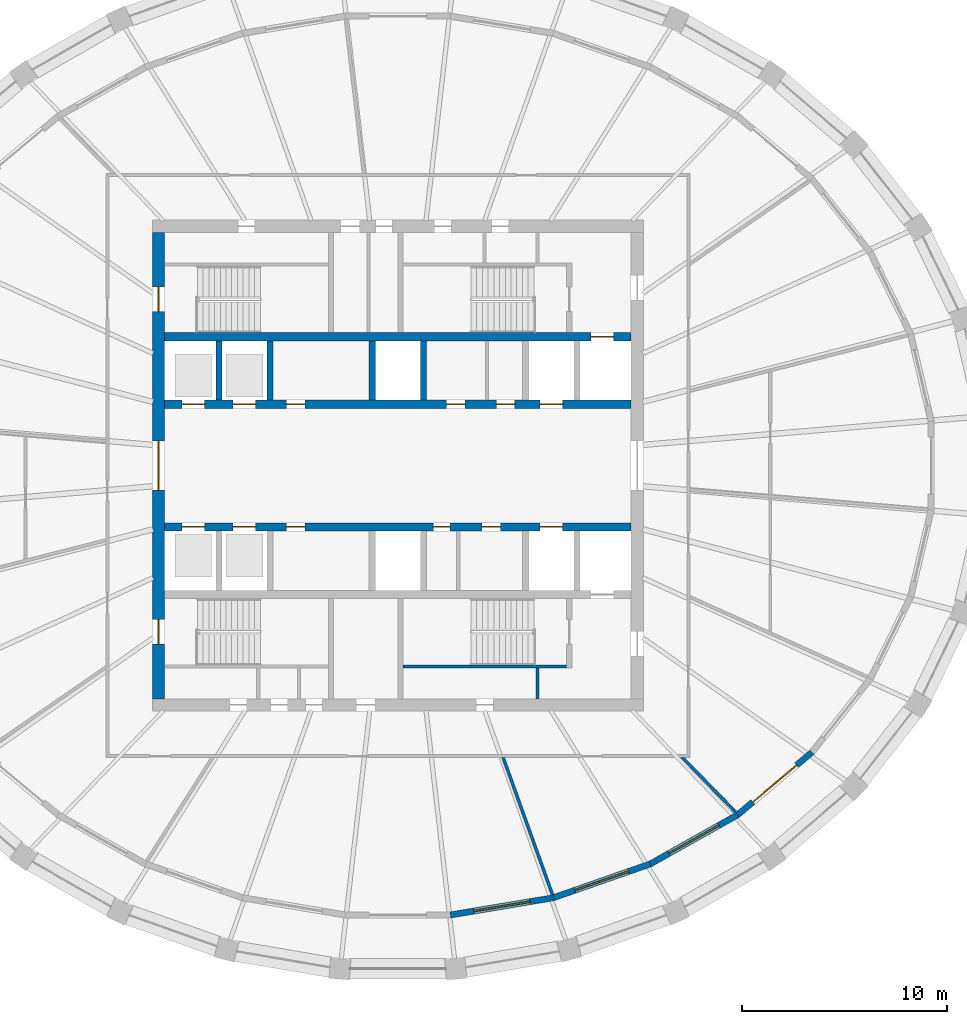
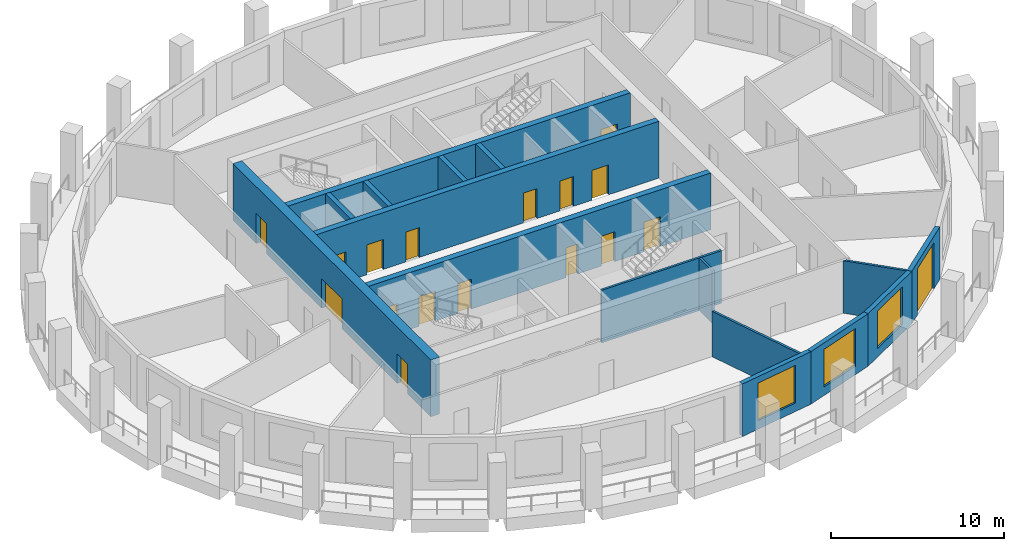
# One storey, part 4 of 10: 17 doors, 16 walls, 3 windows, 20 openings.
"""IFC4 building model written with IfcOpenShell, lengths in metres."""

from ifc_helpers import new_model, si_unit, direction, frame, frame_2d, origin, place, context, subcontext, project, spatial, polyline, rectangle, outline, extrude, material, layer, layer_set, type_object, element, fill, save


model = new_model("IFC4")

# Units and contexts
model_context = context("Model", 3, precision=1e-05, world=origin(), true_north=direction((0.0, 1.0)))
body_context = subcontext(model_context, "Body", "Model", "MODEL_VIEW")
ifc_project = project(units=[si_unit("LENGTHUNIT", "METRE"), si_unit("AREAUNIT", "SQUARE_METRE"), si_unit("VOLUMEUNIT", "CUBIC_METRE"), si_unit("PLANEANGLEUNIT", "RADIAN"), si_unit("MASSUNIT", "GRAM", prefix="KILO")], contexts=[model_context])

# Site, building, storey
site_placement = place(None, origin())
site = spatial("IfcSite", under=ifc_project, at=site_placement, CompositionType="ELEMENT")
building_placement = place(site_placement, origin())
building = spatial("IfcBuilding", under=site, at=building_placement, Name="Halqa Exchange Tower", CompositionType="ELEMENT")
storey_placement = place(building_placement, frame((0.0, 0.0, 304.300048828125)))
storey = spatial("IfcBuildingStorey", under=building, at=storey_placement, Name="L71", CompositionType="ELEMENT", Elevation=304.300048828125)

# Walls
ifc_material_1 = material(Name="Fire-rated gypsum board")
ifc_layer_1 = layer(ifc_material_1, 0.14990234375)
ifc_layer_set_1 = layer_set([ifc_layer_1], Name="Fire-rated gypsum board")
wall_type_1 = type_object("IfcWallType", Name="Fire partition EI 60 150", PredefinedType="PARTITIONING", material=ifc_layer_set_1)
wall_1_placement = place(storey_placement, frame((5.137939453125, -14.25, 0.0), z_axis=(0.0, 0.0, 1.0), x_axis=(0.338519975389, -0.940959205419, 0.0)))
element("IfcWall", 1, at=wall_1_placement, inside=storey, type_object=wall_type_1, Name="L71-PWL-011", PredefinedType="PARTITIONING", context=body_context, shape_type="SweptSolid", body=[
    extrude(outline(polyline([(0.0, -0.074951171875), (1.7841796875, -0.074951171875), (3.568359375, -0.074951171875), (5.3525390625, -0.074951171875), (7.13671875, -0.074951171875), (7.150390625, 0.001220703125), (7.150634765625, 0.01904296875), (7.150634765625, 0.074951171875), (5.37646484375, 0.074951171875), (3.60205078125, 0.074951171875), (1.827880859375, 0.074951171875), (0.053466796875, 0.074951171875), (0.0, -0.07373046875), (0.0, -0.074951171875)])), origin(), (0.0, 0.0, 1.0), 3.199951171875),
])
wall_2_placement = place(storey_placement, frame((13.8623046875, -14.222900390625, 0.0), z_axis=(0.0, 0.0, 1.0), x_axis=(0.698607487782, -0.715505120887, 0.0)))
element("IfcWall", 2, at=wall_2_placement, inside=storey, type_object=wall_type_1, Name="L71-PWL-012", PredefinedType="PARTITIONING", context=body_context, shape_type="SweptSolid", body=[
    extrude(outline(polyline([(3.785400390625, 0.074951171875), (1.9658203125, 0.074951171875), (0.14599609375, 0.074951171875), (0.0, -0.074462890625), (0.0, -0.074951171875), (1.892578125, -0.074951171875), (3.785400390625, -0.074951171875), (3.785400390625, 0.074951171875)])), origin(), (0.0, 0.0, 1.0), 3.699951171875),
])
ifc_material_2 = material(Name="Gypsum board")
ifc_layer_2 = layer(ifc_material_2, 0.14990234375)
ifc_layer_set_2 = layer_set([ifc_layer_2], Name="Gypsum board")
wall_type_2 = type_object("IfcWallType", Name="Penthouse riser wall 150 gypsum", PredefinedType="PARTITIONING", material=ifc_layer_set_2)
wall_3_placement = place(storey_placement, frame((6.824951171875, -11.39990234375, 0.0), z_axis=(0.0, 0.0, 1.0), x_axis=(0.0, 1.0, 0.0)))
element("IfcWall", 3, at=wall_3_placement, inside=storey, type_object=wall_type_2, Name="Firefighting lobby west wall S", PredefinedType="PARTITIONING", context=body_context, shape_type="SweptSolid", body=[
    extrude(rectangle(XDim=1.5, YDim=0.14990234375, at=frame_2d((0.75, 0.0))), origin(), (0.0, 0.0, 1.0), 3.699951171875),
])
ifc_material_3 = material(Name="Concrete C60/75", Category="concrete")
ifc_layer_3 = layer(ifc_material_3, 0.300048828125)
ifc_layer_set_3 = layer_set([ifc_layer_3], Name="Concrete C60/75")
wall_type_3 = type_object("IfcWallType", Name="RC core wall 300", PredefinedType="SHEAR", material=ifc_layer_set_3)
for number, where, z_axis, x_axis, name in (
    (4, (-8.75, 3.199951171875, 0.0), (0.0, 0.0, 1.0), (0.0, 1.0, 0.0), "Shaft divider N1"),
    (5, (-6.25, 3.199951171875, 0.0), (0.0, 0.0, 1.0), (0.0, 1.0, 0.0), "Shaft divider N2"),
    (6, (-1.25, 3.199951171875, 0.0), (0.0, 0.0, 1.0), (0.0, 1.0, 0.0), "Shaft divider N4"),
    (7, (1.25, 3.199951171875, 0.0), (0.0, 0.0, 1.0), (0.0, 1.0, 0.0), "Shaft divider N5"),
):
    element("IfcWall", number, at=place(storey_placement, frame(where, z_axis=z_axis, x_axis=x_axis)), inside=storey, type_object=wall_type_3, Name=name, PredefinedType="SHEAR", context=body_context, shape_type="SweptSolid", body=[
        extrude(rectangle(XDim=2.900146484375, YDim=0.300048828125, at=frame_2d((1.4501953125, 0.0))), origin(), (0.0, 0.0, 1.0), 4.0),
    ])

# Wall, openings, doors
ifc_layer_4 = layer(ifc_material_3, 0.39990234375)
ifc_layer_set_4 = layer_set([ifc_layer_4], Name="Concrete C60/75")
wall_type_4 = type_object("IfcWallType", Name="RC core wall 400 C60/75", PredefinedType="SHEAR", material=ifc_layer_set_4)
wall_4_placement = place(storey_placement, frame((-11.39990234375, 3.0, 0.0), z_axis=(0.0, 0.0, 1.0), x_axis=(1.0, 0.0, 0.0)))
wall_4 = element("IfcWall", 8, at=wall_4_placement, inside=storey, type_object=wall_type_4, Name="Lift row front wall N", PredefinedType="SHEAR", context=body_context, shape_type="SweptSolid", body=[
    extrude(rectangle(XDim=22.7998046875, YDim=0.39990234375, at=frame_2d((11.39990234375, 0.0))), origin(), (0.0, 0.0, 1.0), 4.0),
])
opening_1_placement = place(wall_4_placement, frame((0.85009765625, 0.0, 0.0)))
opening_1 = element("IfcOpeningElement", 9, at=opening_1_placement, cuts=wall_4, Name="Opening LD-HR1-T22", PredefinedType="OPENING", context=body_context, shape_type="SweptSolid", body=[
    extrude(rectangle(XDim=1.10009765625, YDim=2.10009765625, at=frame_2d((0.550048828125, 1.050048828125))), frame((0.0, 0.2119140625, 0.0), z_axis=(0.0, -1.0, 0.0), x_axis=(1.0, 0.0, 0.0)), (0.0, 0.0, 1.0), 0.423828125),
])
opening_2_placement = place(wall_4_placement, frame((3.35009765625, 0.0, 0.0)))
opening_2 = element("IfcOpeningElement", 10, at=opening_2_placement, cuts=wall_4, Name="Opening LD-HR2-T22", PredefinedType="OPENING", context=body_context, shape_type="SweptSolid", body=[
    extrude(rectangle(XDim=1.10009765625, YDim=2.10009765625, at=frame_2d((0.550048828125, 1.050048828125))), frame((0.0, 0.2119140625, 0.0), z_axis=(0.0, -1.0, 0.0), x_axis=(1.0, 0.0, 0.0)), (0.0, 0.0, 1.0), 0.423828125),
])
opening_3_placement = place(wall_4_placement, frame((18.35009765625, 0.0, 0.0)))
opening_3 = element("IfcOpeningElement", 11, at=opening_3_placement, cuts=wall_4, Name="Opening LD-SV1-T22", PredefinedType="OPENING", context=body_context, shape_type="SweptSolid", body=[
    extrude(rectangle(XDim=1.10009765625, YDim=2.10009765625, at=frame_2d((0.550048828125, 1.050048828125))), frame((0.0, 0.2119140625, 0.0), z_axis=(0.0, -1.0, 0.0), x_axis=(1.0, 0.0, 0.0)), (0.0, 0.0, 1.0), 0.423828125),
])
opening_4_placement = place(wall_4_placement, frame((13.78759765625, 0.0, 0.0)))
opening_4 = element("IfcOpeningElement", 12, at=opening_4_placement, cuts=wall_4, Name="Opening T22-C27", PredefinedType="OPENING", context=body_context, shape_type="SweptSolid", body=[
    extrude(rectangle(XDim=0.89990234375, YDim=2.10009765625, at=frame_2d((0.449951171875, 1.050048828125))), frame((0.0, 0.2119140625, 0.0), z_axis=(0.0, -1.0, 0.0), x_axis=(1.0, 0.0, 0.0)), (0.0, 0.0, 1.0), 0.423828125),
])
opening_5_placement = place(wall_4_placement, frame((16.21240234375, 0.0, 0.0)))
opening_5 = element("IfcOpeningElement", 13, at=opening_5_placement, cuts=wall_4, Name="Opening T22-C28", PredefinedType="OPENING", context=body_context, shape_type="SweptSolid", body=[
    extrude(rectangle(XDim=0.89990234375, YDim=2.10009765625, at=frame_2d((0.449951171875, 1.050048828125))), frame((0.0, 0.2119140625, 0.0), z_axis=(0.0, -1.0, 0.0), x_axis=(1.0, 0.0, 0.0)), (0.0, 0.0, 1.0), 0.423828125),
])
opening_6_placement = place(wall_4_placement, frame((5.949951171875, 0.0, 0.0)))
opening_6 = element("IfcOpeningElement", 14, at=opening_6_placement, cuts=wall_4, Name="Opening T22-C29", PredefinedType="OPENING", context=body_context, shape_type="SweptSolid", body=[
    extrude(rectangle(XDim=0.89990234375, YDim=2.10009765625, at=frame_2d((0.449951171875, 1.050048828125))), frame((0.0, 0.2119140625, 0.0), z_axis=(0.0, -1.0, 0.0), x_axis=(1.0, 0.0, 0.0)), (0.0, 0.0, 1.0), 0.423828125),
])
ifc_material_4 = material(Name="Timber fire door leaf", Category="wood")
door_type_1 = type_object("IfcDoorType", Name="Core room door FD30 900 x 2100", OperationType="SINGLE_SWING_LEFT", PredefinedType="DOOR", material=ifc_material_4)
door_1_placement = place(opening_4_placement, origin())
door_1 = element("IfcDoor", 15, at=door_1_placement, inside=storey, type_object=door_type_1, Name="Core room door", OperationType="SINGLE_SWING_RIGHT", OverallHeight=2.10009765625, OverallWidth=0.89990234375, PredefinedType="DOOR", context=body_context, shape_type="SweptSolid", body=[
    extrude(rectangle(XDim=0.89990234375, YDim=2.10009765625, at=frame_2d((0.449951171875, 1.050048828125))), frame((0.0, 0.02490234375, 0.0), z_axis=(0.0, -1.0, 0.0), x_axis=(1.0, 0.0, 0.0)), (0.0, 0.0, 1.0), 0.050048828125),
])
fill(opening_4, door_1)
door_2_placement = place(opening_5_placement, origin())
door_2 = element("IfcDoor", 16, at=door_2_placement, inside=storey, type_object=door_type_1, Name="Core room door", OperationType="SINGLE_SWING_LEFT", OverallHeight=2.10009765625, OverallWidth=0.89990234375, PredefinedType="DOOR", context=body_context, shape_type="SweptSolid", body=[
    extrude(rectangle(XDim=0.89990234375, YDim=2.10009765625, at=frame_2d((0.449951171875, 1.050048828125))), frame((0.0, 0.02490234375, 0.0), z_axis=(0.0, -1.0, 0.0), x_axis=(1.0, 0.0, 0.0)), (0.0, 0.0, 1.0), 0.050048828125),
])
fill(opening_5, door_2)
door_3_placement = place(opening_6_placement, origin())
door_3 = element("IfcDoor", 17, at=door_3_placement, inside=storey, type_object=door_type_1, Name="Core room door", OperationType="SINGLE_SWING_RIGHT", OverallHeight=2.10009765625, OverallWidth=0.89990234375, PredefinedType="DOOR", context=body_context, shape_type="SweptSolid", body=[
    extrude(rectangle(XDim=0.89990234375, YDim=2.10009765625, at=frame_2d((0.449951171875, 1.050048828125))), frame((0.0, 0.02490234375, 0.0), z_axis=(0.0, -1.0, 0.0), x_axis=(1.0, 0.0, 0.0)), (0.0, 0.0, 1.0), 0.050048828125),
])
fill(opening_6, door_3)
ifc_material_5 = material(Name="Stainless steel", Category="steel")
door_type_2 = type_object("IfcDoorType", Name="Lift landing door 1100 x 2100", OperationType="SLIDING_TO_LEFT", PredefinedType="DOOR", material=ifc_material_5)
door_4_placement = place(opening_1_placement, origin())
door_4 = element("IfcDoor", 18, at=door_4_placement, inside=storey, type_object=door_type_2, Name="Lift landing door HR1", OperationType="SLIDING_TO_LEFT", OverallHeight=2.10009765625, OverallWidth=1.10009765625, PredefinedType="DOOR", context=body_context, shape_type="SweptSolid", body=[
    extrude(rectangle(XDim=1.10009765625, YDim=2.10009765625, at=frame_2d((0.550048828125, 1.050048828125))), frame((0.0, 0.02490234375, 0.0), z_axis=(0.0, -1.0, 0.0), x_axis=(1.0, 0.0, 0.0)), (0.0, 0.0, 1.0), 0.050048828125),
])
fill(opening_1, door_4)
door_5_placement = place(opening_2_placement, origin())
door_5 = element("IfcDoor", 19, at=door_5_placement, inside=storey, type_object=door_type_2, Name="Lift landing door HR2", OperationType="SLIDING_TO_LEFT", OverallHeight=2.10009765625, OverallWidth=1.10009765625, PredefinedType="DOOR", context=body_context, shape_type="SweptSolid", body=[
    extrude(rectangle(XDim=1.10009765625, YDim=2.10009765625, at=frame_2d((0.550048828125, 1.050048828125))), frame((0.0, 0.02490234375, 0.0), z_axis=(0.0, -1.0, 0.0), x_axis=(1.0, 0.0, 0.0)), (0.0, 0.0, 1.0), 0.050048828125),
])
fill(opening_2, door_5)
door_6_placement = place(opening_3_placement, origin())
door_6 = element("IfcDoor", 20, at=door_6_placement, inside=storey, type_object=door_type_2, Name="Lift landing door SV1", OperationType="SLIDING_TO_LEFT", OverallHeight=2.10009765625, OverallWidth=1.10009765625, PredefinedType="DOOR", context=body_context, shape_type="SweptSolid", body=[
    extrude(rectangle(XDim=1.10009765625, YDim=2.10009765625, at=frame_2d((0.550048828125, 1.050048828125))), frame((0.0, 0.02490234375, 0.0), z_axis=(0.0, -1.0, 0.0), x_axis=(1.0, 0.0, 0.0)), (0.0, 0.0, 1.0), 0.050048828125),
])
fill(opening_3, door_6)

# Wall, opening, door
wall_5_placement = place(storey_placement, frame((-11.39990234375, 6.300048828125, 0.0), z_axis=(0.0, 0.0, 1.0), x_axis=(1.0, 0.0, 0.0)))
wall_5 = element("IfcWall", 21, at=wall_5_placement, inside=storey, type_object=wall_type_4, Name="Lift row back wall N", PredefinedType="SHEAR", context=body_context, shape_type="SweptSolid", body=[
    extrude(rectangle(XDim=22.7998046875, YDim=0.39990234375, at=frame_2d((11.39990234375, 0.0))), origin(), (0.0, 0.0, 1.0), 4.0),
])
opening_7_placement = place(wall_5_placement, frame((20.85009765625, 0.0, 0.0)))
opening_7 = element("IfcOpeningElement", 22, at=opening_7_placement, cuts=wall_5, Name="Opening LD-FF1-T22", PredefinedType="OPENING", context=body_context, shape_type="SweptSolid", body=[
    extrude(rectangle(XDim=1.10009765625, YDim=2.10009765625, at=frame_2d((0.550048828125, 1.050048828125))), frame((0.0, 0.2119140625, 0.0), z_axis=(0.0, -1.0, 0.0), x_axis=(1.0, 0.0, 0.0)), (0.0, 0.0, 1.0), 0.423828125),
])
door_7_placement = place(opening_7_placement, origin())
door_7 = element("IfcDoor", 23, at=door_7_placement, inside=storey, type_object=door_type_2, Name="Lift landing door FF1", OperationType="SLIDING_TO_LEFT", OverallHeight=2.10009765625, OverallWidth=1.10009765625, PredefinedType="DOOR", context=body_context, shape_type="SweptSolid", body=[
    extrude(rectangle(XDim=1.10009765625, YDim=2.10009765625, at=frame_2d((0.550048828125, 1.050048828125))), frame((0.0, 0.02490234375, 0.0), z_axis=(0.0, -1.0, 0.0), x_axis=(1.0, 0.0, 0.0)), (0.0, 0.0, 1.0), 0.050048828125),
])
fill(opening_7, door_7)

# Wall, openings, doors
wall_6_placement = place(storey_placement, frame((-11.39990234375, -3.0, 0.0), z_axis=(0.0, 0.0, 1.0), x_axis=(1.0, 0.0, 0.0)))
wall_6 = element("IfcWall", 24, at=wall_6_placement, inside=storey, type_object=wall_type_4, Name="Lift row front wall S", PredefinedType="SHEAR", context=body_context, shape_type="SweptSolid", body=[
    extrude(rectangle(XDim=22.7998046875, YDim=0.39990234375, at=frame_2d((11.39990234375, 0.0))), origin(), (0.0, 0.0, 1.0), 4.0),
])
opening_8_placement = place(wall_6_placement, frame((0.85009765625, 0.0, 0.0)))
opening_8 = element("IfcOpeningElement", 25, at=opening_8_placement, cuts=wall_6, Name="Opening LD-HR3-T22", PredefinedType="OPENING", context=body_context, shape_type="SweptSolid", body=[
    extrude(rectangle(XDim=1.10009765625, YDim=2.10009765625, at=frame_2d((0.550048828125, 1.050048828125))), frame((0.0, 0.2119140625, 0.0), z_axis=(0.0, -1.0, 0.0), x_axis=(1.0, 0.0, 0.0)), (0.0, 0.0, 1.0), 0.423828125),
])
opening_9_placement = place(wall_6_placement, frame((3.35009765625, 0.0, 0.0)))
opening_9 = element("IfcOpeningElement", 26, at=opening_9_placement, cuts=wall_6, Name="Opening LD-HR4-T22", PredefinedType="OPENING", context=body_context, shape_type="SweptSolid", body=[
    extrude(rectangle(XDim=1.10009765625, YDim=2.10009765625, at=frame_2d((0.550048828125, 1.050048828125))), frame((0.0, 0.2119140625, 0.0), z_axis=(0.0, -1.0, 0.0), x_axis=(1.0, 0.0, 0.0)), (0.0, 0.0, 1.0), 0.423828125),
])
opening_10_placement = place(wall_6_placement, frame((18.35009765625, 0.0, 0.0)))
opening_10 = element("IfcOpeningElement", 27, at=opening_10_placement, cuts=wall_6, Name="Opening LD-SV2-T22", PredefinedType="OPENING", context=body_context, shape_type="SweptSolid", body=[
    extrude(rectangle(XDim=1.10009765625, YDim=2.10009765625, at=frame_2d((0.550048828125, 1.050048828125))), frame((0.0, 0.2119140625, 0.0), z_axis=(0.0, -1.0, 0.0), x_axis=(1.0, 0.0, 0.0)), (0.0, 0.0, 1.0), 0.423828125),
])
opening_11_placement = place(wall_6_placement, frame((13.137451171875, 0.0, 0.0)))
opening_11 = element("IfcOpeningElement", 28, at=opening_11_placement, cuts=wall_6, Name="Opening T22-C30", PredefinedType="OPENING", context=body_context, shape_type="SweptSolid", body=[
    extrude(rectangle(XDim=0.800048828125, YDim=2.10009765625, at=frame_2d((0.39990234375, 1.050048828125))), frame((0.0, 0.2119140625, 0.0), z_axis=(0.0, -1.0, 0.0), x_axis=(1.0, 0.0, 0.0)), (0.0, 0.0, 1.0), 0.423828125),
])
opening_12_placement = place(wall_6_placement, frame((15.512451171875, 0.0, 0.0)))
opening_12 = element("IfcOpeningElement", 29, at=opening_12_placement, cuts=wall_6, Name="Opening T22-C31", PredefinedType="OPENING", context=body_context, shape_type="SweptSolid", body=[
    extrude(rectangle(XDim=0.89990234375, YDim=2.10009765625, at=frame_2d((0.449951171875, 1.050048828125))), frame((0.0, 0.2119140625, 0.0), z_axis=(0.0, -1.0, 0.0), x_axis=(1.0, 0.0, 0.0)), (0.0, 0.0, 1.0), 0.423828125),
])
opening_13_placement = place(wall_6_placement, frame((5.949951171875, 0.0, 0.0)))
opening_13 = element("IfcOpeningElement", 30, at=opening_13_placement, cuts=wall_6, Name="Opening T22-C32", PredefinedType="OPENING", context=body_context, shape_type="SweptSolid", body=[
    extrude(rectangle(XDim=0.89990234375, YDim=2.10009765625, at=frame_2d((0.449951171875, 1.050048828125))), frame((0.0, 0.2119140625, 0.0), z_axis=(0.0, -1.0, 0.0), x_axis=(1.0, 0.0, 0.0)), (0.0, 0.0, 1.0), 0.423828125),
])
door_8_placement = place(opening_12_placement, frame((0.89990234375, 0.0, 0.0), z_axis=(0.0, 0.0, 1.0), x_axis=(-1.0, 0.0, 0.0)))
door_8 = element("IfcDoor", 31, at=door_8_placement, inside=storey, type_object=door_type_1, Name="Core room door", OperationType="SINGLE_SWING_LEFT", OverallHeight=2.10009765625, OverallWidth=0.89990234375, PredefinedType="DOOR", context=body_context, shape_type="SweptSolid", body=[
    extrude(rectangle(XDim=0.89990234375, YDim=2.10009765625, at=frame_2d((0.449951171875, 1.050048828125))), frame((0.0, 0.02490234375, 0.0), z_axis=(0.0, -1.0, 0.0), x_axis=(1.0, 0.0, 0.0)), (0.0, 0.0, 1.0), 0.050048828125),
])
fill(opening_12, door_8)
door_9_placement = place(opening_13_placement, frame((0.89990234375, 0.0, 0.0), z_axis=(0.0, 0.0, 1.0), x_axis=(-1.0, 0.0, 0.0)))
door_9 = element("IfcDoor", 32, at=door_9_placement, inside=storey, type_object=door_type_1, Name="Core room door", OperationType="SINGLE_SWING_LEFT", OverallHeight=2.10009765625, OverallWidth=0.89990234375, PredefinedType="DOOR", context=body_context, shape_type="SweptSolid", body=[
    extrude(rectangle(XDim=0.89990234375, YDim=2.10009765625, at=frame_2d((0.449951171875, 1.050048828125))), frame((0.0, 0.02490234375, 0.0), z_axis=(0.0, -1.0, 0.0), x_axis=(1.0, 0.0, 0.0)), (0.0, 0.0, 1.0), 0.050048828125),
])
fill(opening_13, door_9)
door_10_placement = place(opening_8_placement, origin())
door_10 = element("IfcDoor", 33, at=door_10_placement, inside=storey, type_object=door_type_2, Name="Lift landing door HR3", OperationType="SLIDING_TO_LEFT", OverallHeight=2.10009765625, OverallWidth=1.10009765625, PredefinedType="DOOR", context=body_context, shape_type="SweptSolid", body=[
    extrude(rectangle(XDim=1.10009765625, YDim=2.10009765625, at=frame_2d((0.550048828125, 1.050048828125))), frame((0.0, 0.02490234375, 0.0), z_axis=(0.0, -1.0, 0.0), x_axis=(1.0, 0.0, 0.0)), (0.0, 0.0, 1.0), 0.050048828125),
])
fill(opening_8, door_10)
door_11_placement = place(opening_9_placement, origin())
door_11 = element("IfcDoor", 34, at=door_11_placement, inside=storey, type_object=door_type_2, Name="Lift landing door HR4", OperationType="SLIDING_TO_LEFT", OverallHeight=2.10009765625, OverallWidth=1.10009765625, PredefinedType="DOOR", context=body_context, shape_type="SweptSolid", body=[
    extrude(rectangle(XDim=1.10009765625, YDim=2.10009765625, at=frame_2d((0.550048828125, 1.050048828125))), frame((0.0, 0.02490234375, 0.0), z_axis=(0.0, -1.0, 0.0), x_axis=(1.0, 0.0, 0.0)), (0.0, 0.0, 1.0), 0.050048828125),
])
fill(opening_9, door_11)
door_12_placement = place(opening_10_placement, origin())
door_12 = element("IfcDoor", 35, at=door_12_placement, inside=storey, type_object=door_type_2, Name="Lift landing door SV2", OperationType="SLIDING_TO_LEFT", OverallHeight=2.10009765625, OverallWidth=1.10009765625, PredefinedType="DOOR", context=body_context, shape_type="SweptSolid", body=[
    extrude(rectangle(XDim=1.10009765625, YDim=2.10009765625, at=frame_2d((0.550048828125, 1.050048828125))), frame((0.0, 0.02490234375, 0.0), z_axis=(0.0, -1.0, 0.0), x_axis=(1.0, 0.0, 0.0)), (0.0, 0.0, 1.0), 0.050048828125),
])
fill(opening_10, door_12)
ifc_material_6 = material(Name="Steel fire door leaf", Category="steel")
door_type_3 = type_object("IfcDoorType", Name="Riser door FD60 800 x 2100", OperationType="SINGLE_SWING_LEFT", PredefinedType="DOOR", material=ifc_material_6)
door_13_placement = place(opening_11_placement, frame((0.800048828125, 0.0, 0.0), z_axis=(0.0, 0.0, 1.0), x_axis=(-1.0, 0.0, 0.0)))
door_13 = element("IfcDoor", 36, at=door_13_placement, inside=storey, type_object=door_type_3, Name="Core room door", OperationType="SINGLE_SWING_LEFT", OverallHeight=2.10009765625, OverallWidth=0.800048828125, PredefinedType="DOOR", context=body_context, shape_type="SweptSolid", body=[
    extrude(rectangle(XDim=0.800048828125, YDim=2.10009765625, at=frame_2d((0.39990234375, 1.050048828125))), frame((0.0, 0.02490234375, 0.0), z_axis=(0.0, -1.0, 0.0), x_axis=(1.0, 0.0, 0.0)), (0.0, 0.0, 1.0), 0.050048828125),
])
fill(opening_11, door_13)

ifc_layer_5 = layer(ifc_material_3, 0.60009765625)
ifc_layer_set_5 = layer_set([ifc_layer_5], Name="Concrete C60/75")
wall_type_5 = type_object("IfcWallType", Name="RC core wall 600 C60/75", PredefinedType="SHEAR", material=ifc_layer_set_5)
wall_7_placement = place(storey_placement, frame((-11.699951171875, -11.39990234375, 0.0), z_axis=(0.0, 0.0, 1.0), x_axis=(0.0, 1.0, 0.0)))
wall_7 = element("IfcWall", 37, at=wall_7_placement, inside=storey, type_object=wall_type_5, Name="Core wall west", PredefinedType="SHEAR", context=body_context, shape_type="SweptSolid", body=[
    extrude(rectangle(XDim=22.7998046875, YDim=0.60009765625, at=frame_2d((11.39990234375, 0.0))), origin(), (0.0, 0.0, 1.0), 4.0),
])
opening_14_placement = place(wall_7_placement, frame((10.199951171875, 0.0, 0.0)))
opening_14 = element("IfcOpeningElement", 38, at=opening_14_placement, cuts=wall_7, Name="Opening T22-C09", PredefinedType="OPENING", context=body_context, shape_type="SweptSolid", body=[
    extrude(rectangle(XDim=2.39990234375, YDim=2.10009765625, at=frame_2d((1.199951171875, 1.050048828125))), frame((0.0, 0.31201171875, 0.0), z_axis=(0.0, -1.0, 0.0), x_axis=(1.0, 0.0, 0.0)), (0.0, 0.0, 1.0), 0.6240234375),
])
opening_15_placement = place(wall_7_placement, frame((18.925048828125, 0.0, 0.0)))
opening_15 = element("IfcOpeningElement", 39, at=opening_15_placement, cuts=wall_7, Name="Opening T22-C11", PredefinedType="OPENING", context=body_context, shape_type="SweptSolid", body=[
    extrude(rectangle(XDim=1.199951171875, YDim=2.10009765625, at=frame_2d((0.60009765625, 1.050048828125))), frame((0.0, 0.31201171875, 0.0), z_axis=(0.0, -1.0, 0.0), x_axis=(1.0, 0.0, 0.0)), (0.0, 0.0, 1.0), 0.6240234375),
])
opening_16_placement = place(wall_7_placement, frame((2.675048828125, 0.0, 0.0)))
opening_16 = element("IfcOpeningElement", 40, at=opening_16_placement, cuts=wall_7, Name="Opening T22-C13", PredefinedType="OPENING", context=body_context, shape_type="SweptSolid", body=[
    extrude(rectangle(XDim=1.199951171875, YDim=2.10009765625, at=frame_2d((0.60009765625, 1.050048828125))), frame((0.0, 0.31201171875, 0.0), z_axis=(0.0, -1.0, 0.0), x_axis=(1.0, 0.0, 0.0)), (0.0, 0.0, 1.0), 0.6240234375),
])
door_type_4 = type_object("IfcDoorType", Name="Lobby double door FD60 2400 x 2100", OperationType="DOUBLE_DOOR_SINGLE_SWING", PredefinedType="DOOR", material=ifc_material_6)
door_14_placement = place(opening_14_placement, frame((2.39990234375, 0.0, 0.0), z_axis=(0.0, 0.0, 1.0), x_axis=(-1.0, 0.0, 0.0)))
door_14 = element("IfcDoor", 41, at=door_14_placement, inside=storey, type_object=door_type_4, Name="Lift lobby double door", OperationType="DOUBLE_DOOR_SINGLE_SWING", OverallHeight=2.10009765625, OverallWidth=2.39990234375, PredefinedType="DOOR", context=body_context, shape_type="SweptSolid", body=[
    extrude(rectangle(XDim=2.39990234375, YDim=2.10009765625, at=frame_2d((1.199951171875, 1.050048828125))), frame((0.0, 0.02490234375, 0.0), z_axis=(0.0, -1.0, 0.0), x_axis=(1.0, 0.0, 0.0)), (0.0, 0.0, 1.0), 0.050048828125),
])
fill(opening_14, door_14)
door_type_5 = type_object("IfcDoorType", Name="Stair door FD90 1200 x 2100", OperationType="SINGLE_SWING_LEFT", PredefinedType="DOOR", material=ifc_material_6)
door_15_placement = place(opening_15_placement, frame((1.199951171875, 0.0, 0.0), z_axis=(0.0, 0.0, 1.0), x_axis=(-1.0, 0.0, 0.0)))
door_15 = element("IfcDoor", 42, at=door_15_placement, inside=storey, type_object=door_type_5, Name="Stair door ST1", OperationType="SINGLE_SWING_LEFT", OverallHeight=2.10009765625, OverallWidth=1.199951171875, PredefinedType="DOOR", context=body_context, shape_type="SweptSolid", body=[
    extrude(rectangle(XDim=1.199951171875, YDim=2.10009765625, at=frame_2d((0.60009765625, 1.050048828125))), frame((0.0, 0.02490234375, 0.0), z_axis=(0.0, -1.0, 0.0), x_axis=(1.0, 0.0, 0.0)), (0.0, 0.0, 1.0), 0.050048828125),
])
fill(opening_15, door_15)
door_16_placement = place(opening_16_placement, frame((1.199951171875, 0.0, 0.0), z_axis=(0.0, 0.0, 1.0), x_axis=(-1.0, 0.0, 0.0)))
door_16 = element("IfcDoor", 43, at=door_16_placement, inside=storey, type_object=door_type_5, Name="Stair door ST3", OperationType="SINGLE_SWING_LEFT", OverallHeight=2.10009765625, OverallWidth=1.199951171875, PredefinedType="DOOR", context=body_context, shape_type="SweptSolid", body=[
    extrude(rectangle(XDim=1.199951171875, YDim=2.10009765625, at=frame_2d((0.60009765625, 1.050048828125))), frame((0.0, 0.02490234375, 0.0), z_axis=(0.0, -1.0, 0.0), x_axis=(1.0, 0.0, 0.0)), (0.0, 0.0, 1.0), 0.050048828125),
])
fill(opening_16, door_16)

# Wall
ifc_material_7 = material(Name="Concrete C30/37", Category="concrete")
ifc_layer_6 = layer(ifc_material_7, 0.14990234375)
ifc_layer_set_6 = layer_set([ifc_layer_6], Name="Concrete C30/37")
wall_type_6 = type_object("IfcWallType", Name="RC stair wall 150 C30/37", PredefinedType="SHEAR", material=ifc_layer_set_6)
wall_8_placement = place(storey_placement, frame((0.25, -9.824951171875, 0.0), z_axis=(0.0, 0.0, 1.0), x_axis=(1.0, 0.0, 0.0)))
element("IfcWall", 44, at=wall_8_placement, inside=storey, type_object=wall_type_6, Name="Stair ST2 north wall S", PredefinedType="SHEAR", context=body_context, shape_type="SweptSolid", body=[
    extrude(rectangle(XDim=8.0, YDim=0.14990234375, at=frame_2d((4.0, 0.0))), origin(), (0.0, 0.0, 1.0), 3.699951171875),
])

# Wall, opening, window
ifc_material_8 = material(Name="Limestone cladding", Category="masonry")
ifc_layer_7 = layer(ifc_material_8, 0.0400390625)
ifc_material_9 = material(Name="Ventilated cavity")
ifc_layer_8 = layer(ifc_material_9, 0.030029296875, ventilated=True)
ifc_material_10 = material(Name="Mineral wool insulation")
ifc_layer_9 = layer(ifc_material_10, 0.10009765625)
ifc_layer_10 = layer(ifc_material_7, 0.10009765625)
ifc_material_11 = material(Name="Internal plaster")
ifc_layer_11 = layer(ifc_material_11, 0.030029296875)
ifc_layer_set_7 = layer_set([ifc_layer_7, ifc_layer_8, ifc_layer_9, ifc_layer_10, ifc_layer_11], Name="Stone-faced insulated wall 300")
wall_type_7 = type_object("IfcWallType", Name="Stone-faced insulated wall 300", PredefinedType="STANDARD", material=ifc_layer_set_7)
wall_9_placement = place(storey_placement, frame((2.565185546875, -21.96630859375, 0.0), z_axis=(0.0, 0.0, 1.0), x_axis=(0.986269480969, 0.165143909695, 0.0)))
wall_9 = element("IfcWall", 45, at=wall_9_placement, inside=storey, type_object=wall_type_7, Name="Glass-line wall 25", PredefinedType="STANDARD", context=body_context, shape_type="SweptSolid", body=[
    extrude(outline(polyline([(-0.012451171875, -0.14990234375), (5.114501953125, -0.14990234375), (5.089111328125, 0.14990234375), (0.012451171875, 0.14990234375), (-0.012451171875, -0.14990234375)])), origin(), (0.0, 0.0, 1.0), 3.699951171875),
])
opening_17_placement = place(wall_9_placement, frame((1.15087890625, 0.0, 0.60009765625)))
opening_17 = element("IfcOpeningElement", 46, at=opening_17_placement, cuts=wall_9, Name="Opening W-F4-25", PredefinedType="OPENING", context=body_context, shape_type="SweptSolid", body=[
    extrude(rectangle(XDim=2.800048828125, YDim=2.64990234375, at=frame_2d((1.39990234375, 1.324951171875))), frame((0.0, 0.162109375, 0.0), z_axis=(0.0, -1.0, 0.0), x_axis=(1.0, 0.0, 0.0)), (0.0, 0.0, 1.0), 0.323974609375),
])
ifc_material_12 = material(Name="Clear low-emissivity glass in aluminium frame", Category="aluminium")
window_type = type_object("IfcWindowType", Name="Fixed clear glazed window 2800 x 2650", PartitioningType="DOUBLE_PANEL_VERTICAL", PredefinedType="WINDOW", material=ifc_material_12)
window_1_placement = place(opening_17_placement, origin())
window_1 = element("IfcWindow", 47, at=window_1_placement, inside=storey, type_object=window_type, Name="Window 4", OverallHeight=2.64990234375, OverallWidth=2.800048828125, PartitioningType="DOUBLE_PANEL_VERTICAL", PredefinedType="WINDOW", context=body_context, shape_type="SweptSolid", body=[
    extrude(rectangle(XDim=2.800048828125, YDim=2.64990234375, at=frame_2d((1.39990234375, 1.324951171875))), frame((0.0, 0.030029296875, 0.0), z_axis=(0.0, -1.0, 0.0), x_axis=(1.0, 0.0, 0.0)), (0.0, 0.0, 1.0), 0.06005859375),
])
fill(opening_17, window_1)

wall_10_placement = place(storey_placement, frame((7.596923828125, -21.123779296875, 0.0), z_axis=(0.0, 0.0, 1.0), x_axis=(0.944251863618, 0.329223963365, 0.0)))
wall_10 = element("IfcWall", 48, at=wall_10_placement, inside=storey, type_object=wall_type_7, Name="Glass-line wall 26", PredefinedType="STANDARD", context=body_context, shape_type="SweptSolid", body=[
    extrude(outline(polyline([(-0.0126953125, -0.14990234375), (5.034423828125, -0.14990234375), (5.008056640625, 0.14990234375), (0.0126953125, 0.14990234375), (-0.0126953125, -0.14990234375)])), origin(), (0.0, 0.0, 1.0), 3.699951171875),
])
opening_18_placement = place(wall_10_placement, frame((1.110595703125, 0.0, 0.60009765625)))
opening_18 = element("IfcOpeningElement", 49, at=opening_18_placement, cuts=wall_10, Name="Opening W-F4-26", PredefinedType="OPENING", context=body_context, shape_type="SweptSolid", body=[
    extrude(rectangle(XDim=2.800048828125, YDim=2.64990234375, at=frame_2d((1.39990234375, 1.324951171875))), frame((0.0, 0.162109375, 0.0), z_axis=(0.0, -1.0, 0.0), x_axis=(1.0, 0.0, 0.0)), (0.0, 0.0, 1.0), 0.323974609375),
])
window_2_placement = place(opening_18_placement, origin())
window_2 = element("IfcWindow", 50, at=window_2_placement, inside=storey, type_object=window_type, Name="Window 4", OverallHeight=2.64990234375, OverallWidth=2.800048828125, PartitioningType="DOUBLE_PANEL_VERTICAL", PredefinedType="WINDOW", context=body_context, shape_type="SweptSolid", body=[
    extrude(rectangle(XDim=2.800048828125, YDim=2.64990234375, at=frame_2d((1.39990234375, 1.324951171875))), frame((0.0, 0.030029296875, 0.0), z_axis=(0.0, -1.0, 0.0), x_axis=(1.0, 0.0, 0.0)), (0.0, 0.0, 1.0), 0.06005859375),
])
fill(opening_18, window_2)

wall_11_placement = place(storey_placement, frame((12.338134765625, -19.470703125, 0.0), z_axis=(0.0, 0.0, 1.0), x_axis=(0.871570211895, 0.490270706588, 0.0)))
wall_11 = element("IfcWall", 51, at=wall_11_placement, inside=storey, type_object=wall_type_7, Name="Glass-line wall 27", PredefinedType="STANDARD", context=body_context, shape_type="SweptSolid", body=[
    extrude(outline(polyline([(-0.01318359375, -0.14990234375), (4.91162109375, -0.14990234375), (4.88330078125, 0.14990234375), (0.01318359375, 0.14990234375), (-0.01318359375, -0.14990234375)])), origin(), (0.0, 0.0, 1.0), 3.699951171875),
])
opening_19_placement = place(wall_11_placement, frame((1.048828125, 0.0, 0.60009765625)))
opening_19 = element("IfcOpeningElement", 52, at=opening_19_placement, cuts=wall_11, Name="Opening W-F4-27", PredefinedType="OPENING", context=body_context, shape_type="SweptSolid", body=[
    extrude(rectangle(XDim=2.800048828125, YDim=2.64990234375, at=frame_2d((1.39990234375, 1.324951171875))), frame((0.0, 0.162109375, 0.0), z_axis=(0.0, -1.0, 0.0), x_axis=(1.0, 0.0, 0.0)), (0.0, 0.0, 1.0), 0.323974609375),
])
window_3_placement = place(opening_19_placement, origin())
window_3 = element("IfcWindow", 53, at=window_3_placement, inside=storey, type_object=window_type, Name="Window 4", OverallHeight=2.64990234375, OverallWidth=2.800048828125, PartitioningType="DOUBLE_PANEL_VERTICAL", PredefinedType="WINDOW", context=body_context, shape_type="SweptSolid", body=[
    extrude(rectangle(XDim=2.800048828125, YDim=2.64990234375, at=frame_2d((1.39990234375, 1.324951171875))), frame((0.0, 0.030029296875, 0.0), z_axis=(0.0, -1.0, 0.0), x_axis=(1.0, 0.0, 0.0)), (0.0, 0.0, 1.0), 0.06005859375),
])
fill(opening_19, window_3)

# Wall, opening, door
wall_12_placement = place(storey_placement, frame((16.606689453125, -17.069580078125, 0.0), z_axis=(0.0, 0.0, 1.0), x_axis=(0.765059193792, 0.643959959931, 0.0)))
wall_12 = element("IfcWall", 54, at=wall_12_placement, inside=storey, type_object=wall_type_7, Name="Glass-line wall 28", PredefinedType="STANDARD", context=body_context, shape_type="SweptSolid", body=[
    extrude(outline(polyline([(-0.01416015625, -0.14990234375), (4.762939453125, -0.14990234375), (4.732666015625, 0.14990234375), (0.01416015625, 0.14990234375), (-0.01416015625, -0.14990234375)])), origin(), (0.0, 0.0, 1.0), 3.699951171875),
])
opening_20_placement = place(wall_12_placement, frame((0.973876953125, 0.0, 0.0)))
opening_20 = element("IfcOpeningElement", 55, at=opening_20_placement, cuts=wall_12, Name="Opening LG-F4-07", PredefinedType="OPENING", context=body_context, shape_type="SweptSolid", body=[
    extrude(rectangle(XDim=2.800048828125, YDim=3.25, at=frame_2d((1.39990234375, 1.625))), frame((0.0, 0.162109375, 0.0), z_axis=(0.0, -1.0, 0.0), x_axis=(1.0, 0.0, 0.0)), (0.0, 0.0, 1.0), 0.323974609375),
])
door_type_6 = type_object("IfcDoorType", Name="Glazed sliding loggia door 2800 x 3250", OperationType="DOUBLE_DOOR_SLIDING", PredefinedType="DOOR", material=ifc_material_12)
door_17_placement = place(opening_20_placement, origin())
door_17 = element("IfcDoor", 56, at=door_17_placement, inside=storey, type_object=door_type_6, Name="Loggia door 7", OperationType="DOUBLE_DOOR_SLIDING", OverallHeight=3.25, OverallWidth=2.800048828125, PredefinedType="DOOR", context=body_context, shape_type="SweptSolid", body=[
    extrude(rectangle(XDim=2.800048828125, YDim=3.25, at=frame_2d((1.39990234375, 1.625))), frame((0.0, 0.02490234375, 0.0), z_axis=(0.0, -1.0, 0.0), x_axis=(1.0, 0.0, 0.0)), (0.0, 0.0, 1.0), 0.050048828125),
])
fill(opening_20, door_17)

save(model, "model.ifc")
